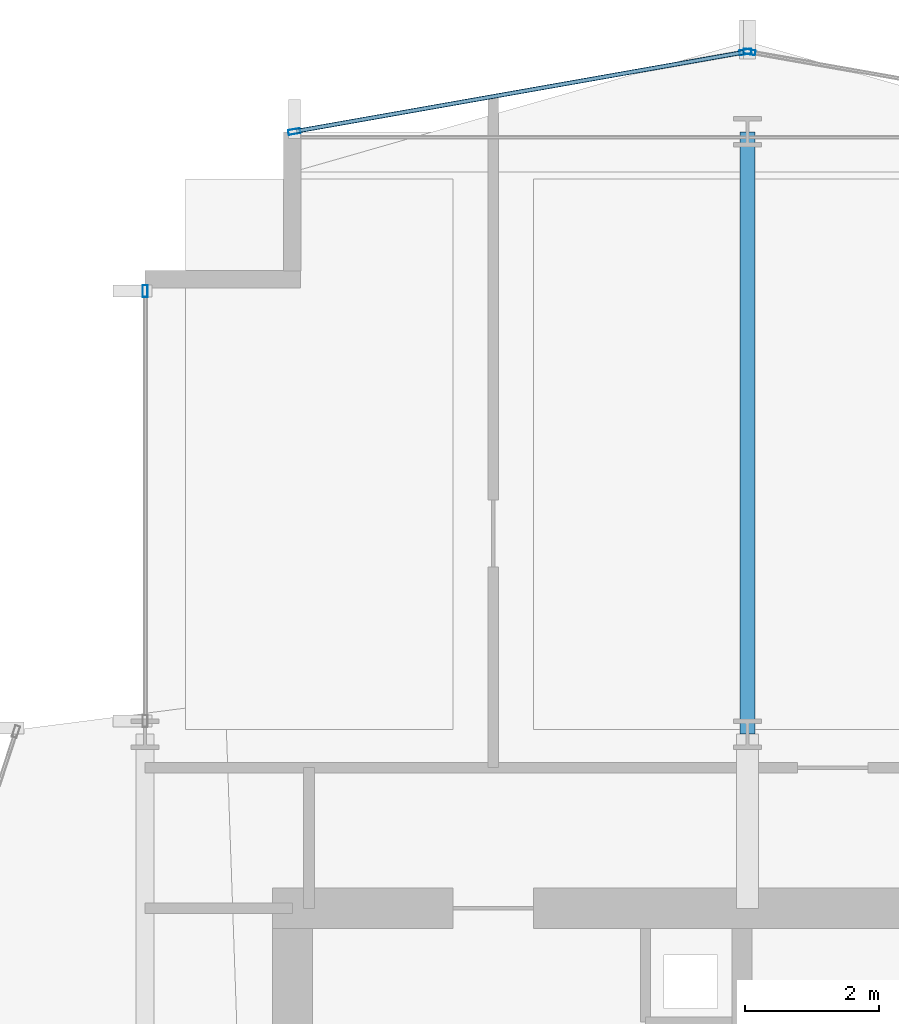
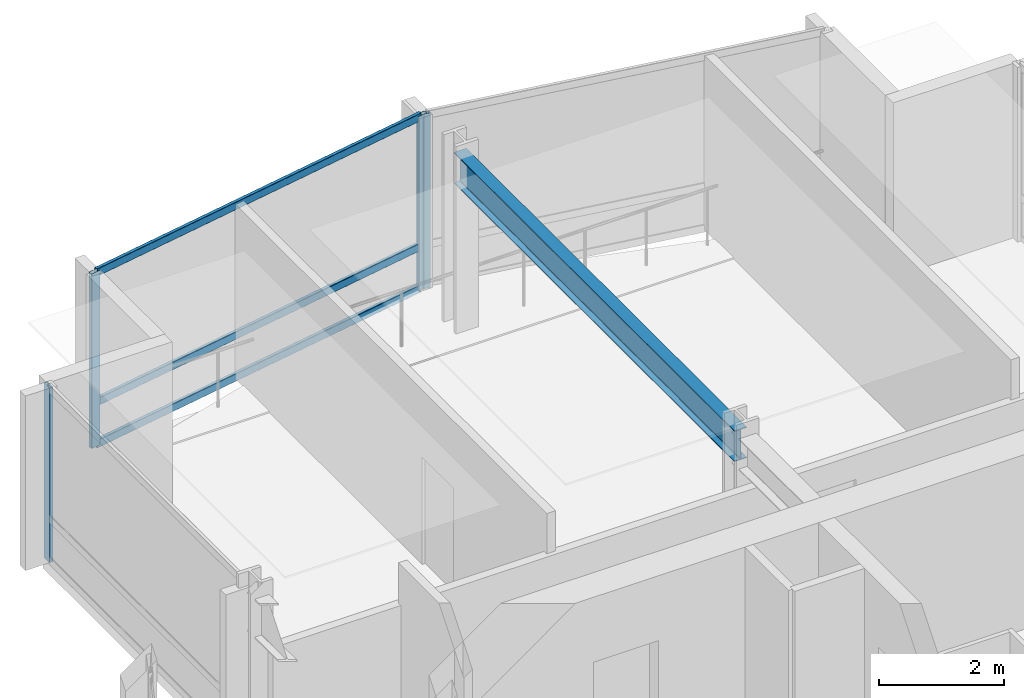
# One storey, part 19 of 29: 7 members, 1 beam, 3 elements without a shape of their own.
"""IFC4 building model written with IfcOpenShell, lengths in metres."""

from ifc_helpers import new_model, si_unit, direction, frame, origin, origin_2d, place, context, subcontext, project, spatial, hollow_rectangle, i_section, extrude, material, layer, layer_set, material_profile, profile_set, type_object, element, aggregate, save


model = new_model("IFC4")

# Units and contexts
model_context = context("Model", 3, precision=1e-05, world=origin(), true_north=direction((0.0, 1.0)))
body_context = subcontext(model_context, "Body", "Model", "MODEL_VIEW")
ifc_project = project(units=[si_unit("LENGTHUNIT", "METRE"), si_unit("AREAUNIT", "SQUARE_METRE"), si_unit("VOLUMEUNIT", "CUBIC_METRE"), si_unit("PLANEANGLEUNIT", "RADIAN"), si_unit("MASSUNIT", "GRAM", prefix="KILO")], contexts=[model_context])

# Site, building, storey
site_placement = place(None, origin())
site = spatial("IfcSite", under=ifc_project, at=site_placement, CompositionType="ELEMENT")
building_placement = place(site_placement, origin())
building = spatial("IfcBuilding", under=site, at=building_placement, Name="Solvaryn Broadcast Tower", CompositionType="ELEMENT")
storey_placement = place(building_placement, frame((0.0, 0.0, 117.39990234375)))
storey = spatial("IfcBuildingStorey", under=building, at=storey_placement, Name="L28", CompositionType="ELEMENT", Elevation=117.39990234375)

# Beam
ifc_material_1 = material(Name="Steel ASTM A992 Grade 50", Category="steel")
ifc_material_profile_1 = material_profile(ifc_material_1, i_section(OverallWidth=0.22802734375, OverallDepth=0.60791015625, WebThickness=0.01123046875, FlangeThickness=0.017333984375, FilletRadius=0.014892578125, at=origin_2d()))
ifc_profile_set_1 = profile_set([ifc_material_profile_1], Name="Steel ASTM A992 Grade 50")
beam_type = type_object("IfcBeamType", Name="BM-B2-W24X76", PredefinedType="BEAM", material=ifc_profile_set_1)
beam_placement = place(storey_placement, frame((18.0, 45.0, 3.1162109375), z_axis=(0.0, 1.0, 0.0), x_axis=(-1.0, 0.0, 0.0)))
element("IfcBeam", 1, at=beam_placement, inside=storey, type_object=beam_type, Name="L28 Primary Beam Y (45-54 @ X=18)", PredefinedType="BEAM", context=body_context, shape_type="SweptSolid", body=[
    extrude(i_section(OverallWidth=0.22802734375, OverallDepth=0.60791015625, WebThickness=0.01123046875, FlangeThickness=0.017333984375, FilletRadius=0.014892578125, at=origin_2d()), origin(), (0.0, 0.0, 1.0), 9.0),
])

# Curtain wall, member
ifc_material_2 = material(Name="Aluminium and Terracotta Unitised Curtain Wall", Category="masonry")
ifc_layer = layer(ifc_material_2, 0.199951171875)
ifc_layer_set = layer_set([ifc_layer], Name="CW-SYS2-LOWMID")
curtain_wall_type = type_object("IfcCurtainWallType", Name="CW-SYS2-LOWMID", PredefinedType="NOTDEFINED", material=ifc_layer_set)
curtain_wall_1_placement = place(storey_placement, origin())
curtain_wall_1 = element("IfcCurtainWall", 2, at=curtain_wall_1_placement, inside=storey, type_object=curtain_wall_type, Name="L28 Curtain Wall W2", PredefinedType="NOTDEFINED")
ifc_material_3 = material(Name="Anodised Aluminium 6063-T6", Category="aluminium")
ifc_material_profile_2 = material_profile(ifc_material_3, hollow_rectangle(XDim=0.074951171875, YDim=0.179931640625, WallThickness=0.00390625, InnerFilletRadius=0.00390625, OuterFilletRadius=0.008056640625, at=origin_2d()))
ifc_profile_set_2 = profile_set([ifc_material_profile_2], Name="Anodised Aluminium 6063-T6")
member_type_1 = type_object("IfcMemberType", Name="CW-MUL-180", PredefinedType="MULLION", material=ifc_profile_set_2)
member_1_placement = place(storey_placement, frame((9.0, 51.6201171875, 0.0), z_axis=(0.0, 0.0, 1.0), x_axis=(-1.0, 0.0, 0.0)))
member_1 = element("IfcMember", 3, at=member_1_placement, type_object=member_type_1, Name="CWS2 mullion 2", PredefinedType="MULLION", context=body_context, shape_type="SweptSolid", body=[
    extrude(hollow_rectangle(XDim=0.074951171875, YDim=0.179931640625, WallThickness=0.00390625, InnerFilletRadius=0.00390625, OuterFilletRadius=0.008056640625, at=origin_2d()), origin(), (0.0, 0.0, 1.0), 3.420166015625),
])
aggregate(curtain_wall_1, [member_1])

curtain_wall_2_placement = place(storey_placement, origin())
curtain_wall_2 = element("IfcCurtainWall", 4, at=curtain_wall_2_placement, inside=storey, type_object=curtain_wall_type, Name="L28 Curtain Wall NT1", PredefinedType="NOTDEFINED")
member_2_placement = place(storey_placement, frame((18.029541015625, 55.19482421875, 0.0), z_axis=(0.0, 0.0, 1.0), x_axis=(-0.173785333901, -0.984783558819, 0.0)))
member_2 = element("IfcMember", 5, at=member_2_placement, type_object=member_type_1, Name="CWS2 mullion 2", PredefinedType="MULLION", context=body_context, shape_type="SweptSolid", body=[
    extrude(hollow_rectangle(XDim=0.074951171875, YDim=0.179931640625, WallThickness=0.00390625, InnerFilletRadius=0.00390625, OuterFilletRadius=0.008056640625, at=origin_2d()), origin(), (0.0, 0.0, 1.0), 3.420166015625),
])
aggregate(curtain_wall_2, [member_2])

# Curtain wall, members
curtain_wall_3_placement = place(storey_placement, origin())
curtain_wall_3 = element("IfcCurtainWall", 6, at=curtain_wall_3_placement, inside=storey, type_object=curtain_wall_type, Name="L28 Curtain Wall NT2", PredefinedType="NOTDEFINED")
member_3_placement = place(storey_placement, frame((17.970458984375, 55.19482421875, 0.0), z_axis=(0.0, 0.0, 1.0), x_axis=(0.173785333901, -0.984783558819, 0.0)))
member_3 = element("IfcMember", 7, at=member_3_placement, type_object=member_type_1, Name="CWS2 mullion 1", PredefinedType="MULLION", context=body_context, shape_type="SweptSolid", body=[
    extrude(hollow_rectangle(XDim=0.074951171875, YDim=0.179931640625, WallThickness=0.00390625, InnerFilletRadius=0.00390625, OuterFilletRadius=0.008056640625, at=origin_2d()), origin(), (0.0, 0.0, 1.0), 3.420166015625),
])
member_4_placement = place(storey_placement, frame((11.2294921875, 54.005126953125, 0.0), z_axis=(0.0, 0.0, 1.0), x_axis=(0.173785333901, -0.984783558819, 0.0)))
member_4 = element("IfcMember", 8, at=member_4_placement, type_object=member_type_1, Name="CWS2 mullion 2", PredefinedType="MULLION", context=body_context, shape_type="SweptSolid", body=[
    extrude(hollow_rectangle(XDim=0.074951171875, YDim=0.179931640625, WallThickness=0.00390625, InnerFilletRadius=0.00390625, OuterFilletRadius=0.008056640625, at=origin_2d()), origin(), (0.0, 0.0, 1.0), 3.420166015625),
])
ifc_material_4 = material(Name="Anodised Aluminium 6063-T6", Category="aluminium")
ifc_material_profile_3 = material_profile(ifc_material_4, hollow_rectangle(XDim=0.06494140625, YDim=0.14990234375, WallThickness=0.00390625, InnerFilletRadius=0.00390625, OuterFilletRadius=0.008056640625, at=origin_2d()))
ifc_profile_set_3 = profile_set([ifc_material_profile_3], Name="Anodised Aluminium 6063-T6")
member_type_2 = type_object("IfcMemberType", Name="CW-TRN-150", PredefinedType="USERDEFINED", material=ifc_profile_set_3)
member_5_placement = place(storey_placement, frame((17.94091796875, 55.189453125, 0.030029296875), z_axis=(-0.984788629673, -0.173756596613, 0.0), x_axis=(0.173756596613, -0.984788629673, 0.0)))
member_5 = element("IfcMember", 9, at=member_5_placement, type_object=member_type_2, Name="CWS2 transom 1.1", ObjectType="TRANSOM", PredefinedType="USERDEFINED", context=body_context, shape_type="SweptSolid", body=[
    extrude(hollow_rectangle(XDim=0.06494140625, YDim=0.14990234375, WallThickness=0.00390625, InnerFilletRadius=0.00390625, OuterFilletRadius=0.008056640625, at=origin_2d()), origin(), (0.0, 0.0, 1.0), 6.78515625),
])
member_6_placement = place(storey_placement, frame((17.94091796875, 55.189453125, 0.85009765625), z_axis=(-0.984788629673, -0.173756596613, 0.0), x_axis=(0.173756596613, -0.984788629673, 0.0)))
member_6 = element("IfcMember", 10, at=member_6_placement, type_object=member_type_2, Name="CWS2 transom 1.2", ObjectType="TRANSOM", PredefinedType="USERDEFINED", context=body_context, shape_type="SweptSolid", body=[
    extrude(hollow_rectangle(XDim=0.06494140625, YDim=0.14990234375, WallThickness=0.00390625, InnerFilletRadius=0.00390625, OuterFilletRadius=0.008056640625, at=origin_2d()), origin(), (0.0, 0.0, 1.0), 6.78515625),
])
member_7_placement = place(storey_placement, frame((17.94091796875, 55.189453125, 3.39013671875), z_axis=(-0.984788629673, -0.173756596613, 0.0), x_axis=(0.173756596613, -0.984788629673, 0.0)))
member_7 = element("IfcMember", 11, at=member_7_placement, type_object=member_type_2, Name="CWS2 transom 1.3", ObjectType="TRANSOM", PredefinedType="USERDEFINED", context=body_context, shape_type="SweptSolid", body=[
    extrude(hollow_rectangle(XDim=0.06494140625, YDim=0.14990234375, WallThickness=0.00390625, InnerFilletRadius=0.00390625, OuterFilletRadius=0.008056640625, at=origin_2d()), origin(), (0.0, 0.0, 1.0), 6.78515625),
])
aggregate(curtain_wall_3, [member_3, member_4, member_5, member_6, member_7])

save(model, "model.ifc")
